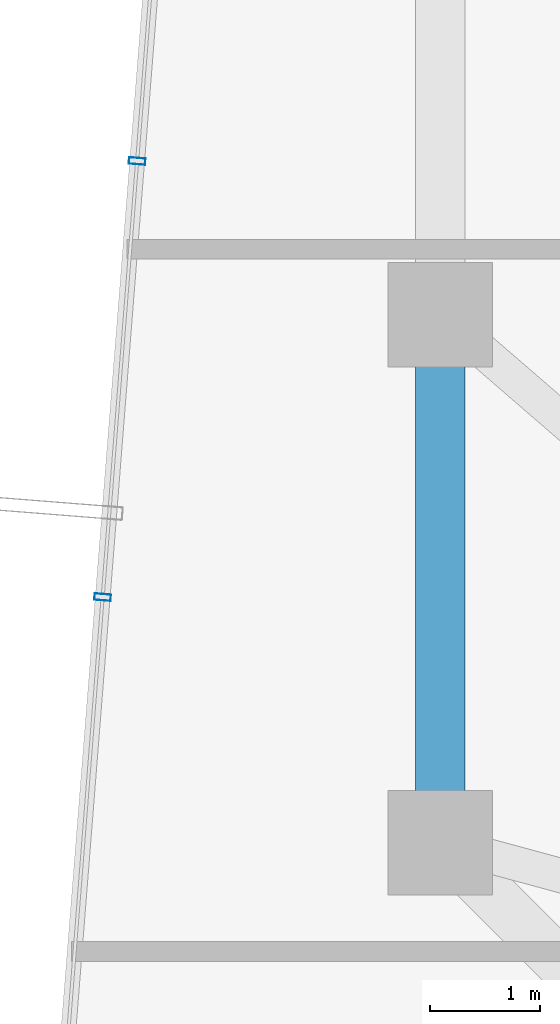
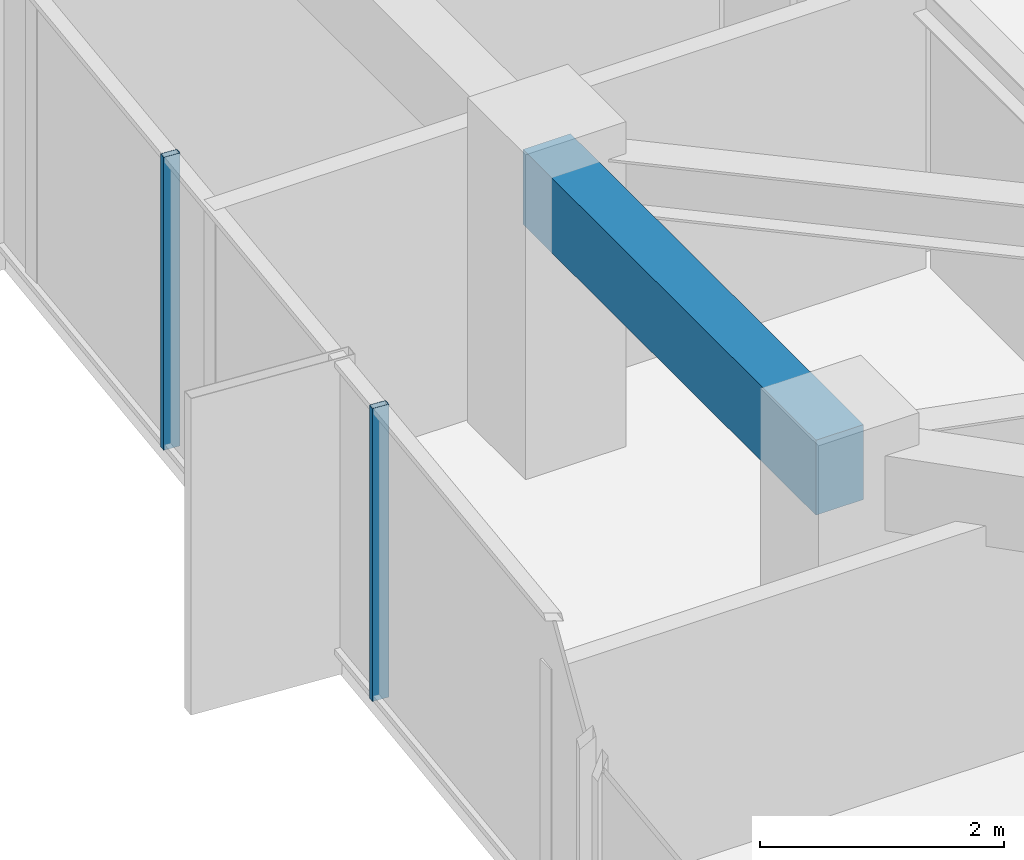
# One storey, part 10 of 29: 2 members, 1 beam, 1 element without a shape of its own.
"""IFC4 building model written with IfcOpenShell, lengths in metres."""

from ifc_helpers import new_model, si_unit, direction, frame, origin, origin_2d, place, context, subcontext, project, spatial, rectangle, hollow_rectangle, extrude, source, transform, mapped, material, layer, layer_set, material_profile, profile_set, type_object, element, aggregate, save


model = new_model("IFC4")

# Units and contexts
model_context = context("Model", 3, precision=1e-05, world=origin(), true_north=direction((0.0, 1.0)))
body_context = subcontext(model_context, "Body", "Model", "MODEL_VIEW")
ifc_project = project(units=[si_unit("LENGTHUNIT", "METRE"), si_unit("AREAUNIT", "SQUARE_METRE"), si_unit("VOLUMEUNIT", "CUBIC_METRE"), si_unit("PLANEANGLEUNIT", "RADIAN"), si_unit("MASSUNIT", "GRAM", prefix="KILO")], contexts=[model_context])

# Site, building, storey
site_placement = place(None, origin())
site = spatial("IfcSite", under=ifc_project, at=site_placement, CompositionType="ELEMENT")
building_placement = place(site_placement, origin())
building = spatial("IfcBuilding", under=site, at=building_placement, Name="Veraguas Prism Commons", CompositionType="ELEMENT")
storey_placement = place(building_placement, frame((0.0, 0.0, 222.14990234375)))
storey = spatial("IfcBuildingStorey", under=building, at=storey_placement, Name="L63", CompositionType="ELEMENT", Elevation=222.14990234375)

# Beam
ifc_material_1 = material(Name="Concrete C50/60", Category="concrete")
ifc_material_profile_1 = material_profile(ifc_material_1, rectangle(XDim=0.449951171875, YDim=0.75, at=origin_2d()), Name="RC450X750")
ifc_profile_set_1 = profile_set([ifc_material_profile_1], Name="Concrete C50/60")
beam_type = type_object("IfcBeamType", Name="Perimeter Spandrel Upper RC 450x750", PredefinedType="SPANDREL", material=ifc_profile_set_1)
beam_placement = place(storey_placement, frame((9.10009765625, 24.0, 2.55517578125), z_axis=(0.0, -1.0, 0.0), x_axis=(1.0, 0.0, 0.0)))
element("IfcBeam", 1, at=beam_placement, inside=storey, type_object=beam_type, Name="Perimeter Spandrel Beam L63-SP08", PredefinedType="SPANDREL", context=body_context, shape_type="SweptSolid", body=[
    extrude(rectangle(XDim=0.449951171875, YDim=0.75, at=origin_2d()), origin(), (0.0, 0.0, 1.0), 4.800048828125),
])

# Curtain wall, members
ifc_material_2 = material(Name="Anodised aluminium EN AW-6063 T6", Category="aluminium")
ifc_layer = layer(ifc_material_2, 0.14990234375, Name="Unitised Flush Curtain Wall Zone 3", Category="aluminium")
ifc_layer_set = layer_set([ifc_layer], Name="Anodised aluminium EN AW-6063 T6")
curtain_wall_type = type_object("IfcCurtainWallType", Name="Unitised Flush Curtain Wall Zone 3", PredefinedType="NOTDEFINED", material=ifc_layer_set)
curtain_wall_placement = place(storey_placement, origin())
curtain_wall = element("IfcCurtainWall", 2, at=curtain_wall_placement, inside=storey, type_object=curtain_wall_type, Name="Tower Facade Curtain Wall L63-F3", PredefinedType="NOTDEFINED")
ifc_material_profile_2 = material_profile(ifc_material_2, hollow_rectangle(XDim=0.06005859375, YDim=0.14990234375, WallThickness=0.0029296875, at=origin_2d()), Name="AL60X150X3")
ifc_profile_set_2 = profile_set([ifc_material_profile_2], Name="Anodised aluminium EN AW-6063 T6")
member_type = type_object("IfcMemberType", Name="Curtain Wall Mullion Upper AL 60x150x3", PredefinedType="MULLION", material=ifc_profile_set_2)
shared_shape = source(origin(), body_context, "Body", "SweptSolid", [
    extrude(hollow_rectangle(XDim=0.06005859375, YDim=0.14990234375, WallThickness=0.0029296875, at=origin_2d()), origin(), (0.0, 0.0, 1.0), 2.93017578125),
])
member_1_placement = place(storey_placement, frame((6.344970703125, 25.395751953125, 0.0), z_axis=(0.0, 0.0, 1.0), x_axis=(-0.07881230044, -0.99688947296, 0.0)))
member_1 = element("IfcMember", 3, at=member_1_placement, type_object=member_type, Name="CW-Z3 Mullion 3", PredefinedType="MULLION", context=body_context, shape_type="MappedRepresentation", body=[
    mapped(shared_shape, transform((0.0, 0.0, 0.0), scale=1.0)),
])
member_2_placement = place(storey_placement, frame((6.031494140625, 21.432373046875, 0.0), z_axis=(0.0, 0.0, 1.0), x_axis=(-0.07881230044, -0.99688947296, 0.0)))
member_2 = element("IfcMember", 4, at=member_2_placement, type_object=member_type, Name="CW-Z3 Mullion 4", PredefinedType="MULLION", context=body_context, shape_type="MappedRepresentation", body=[
    mapped(shared_shape, transform((0.0, 0.0, 0.0), scale=1.0)),
])
aggregate(curtain_wall, [member_1, member_2])

save(model, "model.ifc")
